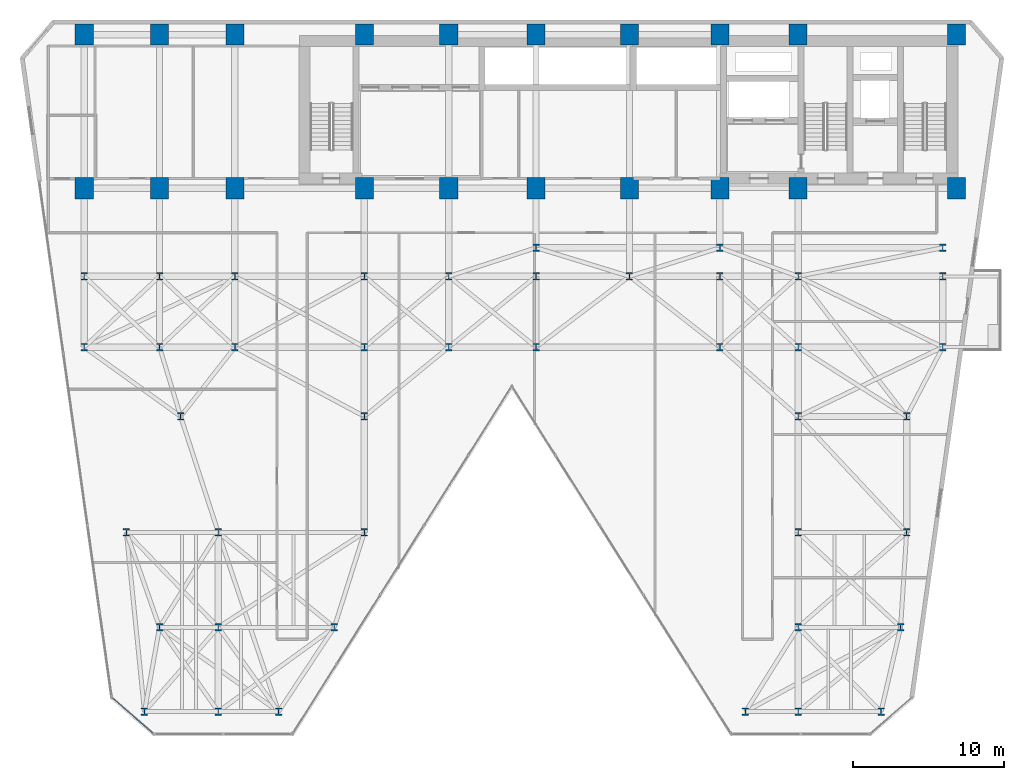
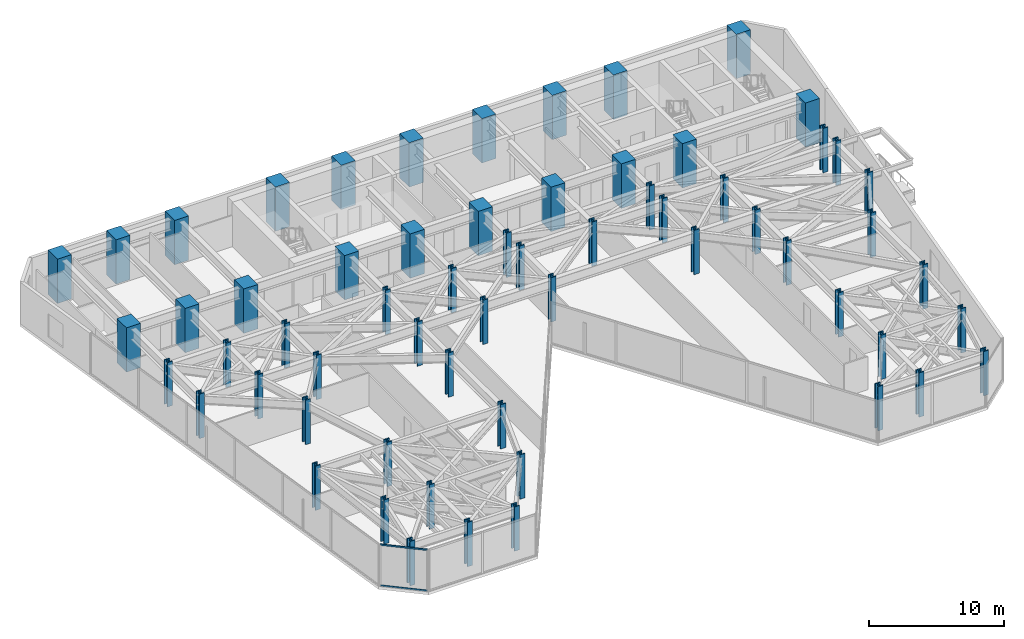
# One storey, part 1 of 24: 62 columns, 2 members, 1 element without a shape of its own.
"""IFC4 building model written with IfcOpenShell, lengths in metres."""

import ifcopenshell
import ifcopenshell.guid

model = None  # the IFC model being written
_history = None  # IfcOwnerHistory: only IFC2X3 demands one
_inside = {}  # id of a spatial element -> (the spatial element, [elements in it])
_under = {}  # id of a project, library or spatial element -> (it, [spatial elements below it])
_declared = {}  # id of a project -> (the project, [libraries it declares])
_typed = {}  # id of a type object -> (the type object, [elements of that type])
_made_of = {}  # id of a material, layer set ... -> (it, [elements and type objects made of it])


def new_model(schema):
    """Start an empty IFC model of exactly this schema.

    Asked for "IFC4X3", IfcOpenShell would pick the latest addendum, in which some entities
    have other attributes; the version numbers below select the first issue.
    IFC2X3 requires an IfcOwnerHistory on every rooted entity: one is made here for all.
    """
    global model, _history
    if schema == "IFC4X3":
        model = ifcopenshell.file(schema_version=(4, 3, 0, 0))
    else:
        model = ifcopenshell.file(schema=schema)
    _inside.clear()
    _under.clear()
    _declared.clear()
    _typed.clear()
    _made_of.clear()
    _history = None
    if model.schema == "IFC2X3":
        org = make("IfcOrganization", Name="unknown")
        user = make(
            "IfcPersonAndOrganization",
            ThePerson=make("IfcPerson", FamilyName="unknown"),
            TheOrganization=org,
        )
        app = make(
            "IfcApplication",
            ApplicationDeveloper=org,
            Version="unknown",
            ApplicationFullName="unknown",
            ApplicationIdentifier="unknown",
        )
        _history = make(
            "IfcOwnerHistory",
            OwningUser=user,
            OwningApplication=app,
            ChangeAction="ADDED",
            CreationDate=0,
        )
    return model


def make(cls, **values):
    """One entity of the class cls with the attributes given. An attribute that is None is left unset."""
    return model.create_entity(
        cls, **{name: value for name, value in values.items() if value is not None}
    )


def rooted(cls, **values):
    """An entity with a GlobalId (a new one), such as an element, a storey or a relation."""
    return make(cls, GlobalId=ifcopenshell.guid.new(), OwnerHistory=_history, **values)


def si_unit(unit_type, name, prefix=None):
    """IfcSIUnit, for example si_unit("LENGTHUNIT", "METRE", prefix="MILLI")."""
    return make("IfcSIUnit", UnitType=unit_type, Prefix=prefix, Name=name)


def assignment(units):
    """IfcUnitAssignment: the units of a project."""
    return None if units is None else make("IfcUnitAssignment", Units=units)


def point(xyz):
    """IfcCartesianPoint."""
    return None if xyz is None else make("IfcCartesianPoint", Coordinates=xyz)


def direction(xyz):
    """IfcDirection."""
    return None if xyz is None else make("IfcDirection", DirectionRatios=xyz)


def frame(location, z_axis=None, x_axis=None):
    """IfcAxis2Placement3D, a coordinate frame: its origin and axes. An axis left out is left unset."""
    return make(
        "IfcAxis2Placement3D",
        Location=point(location),
        Axis=direction(z_axis),
        RefDirection=direction(x_axis),
    )


def frame_2d(location, x_axis=None):
    """IfcAxis2Placement2D, a coordinate frame in the plane: its origin and x axis."""
    return make(
        "IfcAxis2Placement2D", Location=point(location), RefDirection=direction(x_axis)
    )


def origin():
    """The frame at (0, 0, 0) with its axes left unset."""
    return frame((0.0, 0.0, 0.0))


def origin_2d():
    """The frame at (0, 0) in the plane with its x axis left unset."""
    return frame_2d((0.0, 0.0))


def place(relative_to, where):
    """IfcLocalPlacement: puts the frame where relative to a parent placement (None: the world)."""
    return make(
        "IfcLocalPlacement", PlacementRelTo=relative_to, RelativePlacement=where
    )


def context(
    kind, dimensions, precision=None, world=None, true_north=None, identifier=None
):
    """IfcGeometricRepresentationContext, for example the 3D "Model" context."""
    return make(
        "IfcGeometricRepresentationContext",
        ContextIdentifier=identifier,
        ContextType=kind,
        CoordinateSpaceDimension=dimensions,
        Precision=precision,
        WorldCoordinateSystem=world,
        TrueNorth=true_north,
    )


def subcontext(parent, identifier, kind, view, scale=None):
    """IfcGeometricRepresentationSubContext, for example "Body" below "Model"."""
    return make(
        "IfcGeometricRepresentationSubContext",
        ContextIdentifier=identifier,
        ContextType=kind,
        ParentContext=parent,
        TargetScale=scale,
        TargetView=view,
    )


def project(units=None, contexts=None):
    """IfcProject with its units and contexts."""
    return rooted(
        "IfcProject",
        Name="project",
        RepresentationContexts=contexts,
        UnitsInContext=assignment(units),
    )


def spatial(cls, under=None, at=None, **own):
    """A site, building, storey or space (cls), placed at a placement, below another one or the project."""
    s = rooted(cls, ObjectPlacement=at, **own)
    if under is not None:
        _under.setdefault(under.id(), (under, []))[1].append(s)
    return s


def profile(cls, at=None, kind="AREA", **sizes):
    """A parametric profile (cls). Its sizes go by their IFC names, for example OverallWidth=200.0."""
    return make(cls, ProfileType=kind, Position=at, **sizes)


def rectangle(**sizes):
    """IfcRectangleProfileDef."""
    return profile("IfcRectangleProfileDef", **sizes)


def hollow_rectangle(**sizes):
    """IfcRectangleHollowProfileDef."""
    return profile("IfcRectangleHollowProfileDef", **sizes)


def i_section(**sizes):
    """IfcIShapeProfileDef."""
    return profile("IfcIShapeProfileDef", **sizes)


def extrude(swept, where, along, depth):
    """IfcExtrudedAreaSolid: the profile swept, set in the frame where, extruded along a direction by depth."""
    return make(
        "IfcExtrudedAreaSolid",
        SweptArea=swept,
        Position=where,
        ExtrudedDirection=direction(along),
        Depth=depth,
    )


def shape(context_of_items, identifier, shape_type, items):
    """IfcShapeRepresentation: the items that make up one representation, for example the "Body"."""
    return make(
        "IfcShapeRepresentation",
        ContextOfItems=context_of_items,
        RepresentationIdentifier=identifier,
        RepresentationType=shape_type,
        Items=items,
    )


def material(Name=None, Category=None):
    """IfcMaterial."""
    return make("IfcMaterial", Name=Name, Category=Category)


def layer(
    of_material, thickness, ventilated=None, Name=None, Category=None, Priority=None
):
    """IfcMaterialLayer: one layer of a wall or slab, of a material (None: an air gap)."""
    return make(
        "IfcMaterialLayer",
        Material=of_material,
        LayerThickness=thickness,
        IsVentilated=ventilated,
        Name=Name,
        Category=Category,
        Priority=Priority,
    )


def layer_set(layers, Name=None):
    """IfcMaterialLayerSet."""
    return make("IfcMaterialLayerSet", MaterialLayers=layers, LayerSetName=Name)


def material_profile(
    of_material, cross_section, Name=None, Category=None, Priority=None
):
    """IfcMaterialProfile: a cross section and its material."""
    return make(
        "IfcMaterialProfile",
        Name=Name,
        Material=of_material,
        Profile=cross_section,
        Priority=Priority,
        Category=Category,
    )


def profile_set(profiles, Name=None, composite=None):
    """IfcMaterialProfileSet."""
    return make(
        "IfcMaterialProfileSet",
        Name=Name,
        MaterialProfiles=profiles,
        CompositeProfile=composite,
    )


def made_of(thing, what):
    """Note that an element or type object is made of a material, layer set ...; save() writes the relation."""
    if what is not None:
        _made_of.setdefault(what.id(), (what, []))[1].append(thing)
    return thing


def type_object(cls, material=None, **own):
    """A type object (cls), such as IfcWallType, which elements share."""
    return made_of(rooted(cls, **own), material)


def element(
    cls,
    number,
    at=None,
    inside=None,
    cuts=None,
    type_object=None,
    material=None,
    context=None,
    identifier="Body",
    shape_type=None,
    held_by="IfcProductDefinitionShape",
    body=None,
    shapes=None,
    **own,
):
    """One element of the class cls, such as IfcWall. Its Tag is "e" and its number.

    at: its placement. inside: the storey or other place that contains it. cuts: it is an
    opening in that element (IfcRelVoidsElement). A single representation is given by context,
    identifier, shape_type and body (its items); several are given by shapes. held_by: the class
    of the entity that holds the representations. save() writes the other relations.
    """
    e = rooted(cls, Tag="e%d" % number, ObjectPlacement=at, **own)
    if body is not None:
        shapes = [shape(context, identifier, shape_type, body)]
    if shapes is not None:
        e.Representation = make(held_by, Representations=shapes)
    if inside is not None:
        _inside.setdefault(inside.id(), (inside, []))[1].append(e)
    if cuts is not None:
        rooted(
            "IfcRelVoidsElement", RelatingBuildingElement=cuts, RelatedOpeningElement=e
        )
    if type_object is not None:
        _typed.setdefault(type_object.id(), (type_object, []))[1].append(e)
    return made_of(e, material)


def aggregate(whole, parts):
    """IfcRelAggregates: a whole, such as a stair, and the parts it consists of."""
    return rooted("IfcRelAggregates", RelatingObject=whole, RelatedObjects=parts)


def save(model, path):
    """Write the relations noted so far, then the file.

    IfcRelAggregates (storeys below a building ...), IfcRelContainedInSpatialStructure (elements
    in a storey), IfcRelDefinesByType, IfcRelAssociatesMaterial and IfcRelDeclares: one each for
    every whole, place, type object, material and project.
    """
    for whole, parts in _under.values():
        aggregate(whole, parts)
    for where, things in _inside.values():
        rooted(
            "IfcRelContainedInSpatialStructure",
            RelatedElements=things,
            RelatingStructure=where,
        )
    for kind, things in _typed.values():
        rooted("IfcRelDefinesByType", RelatedObjects=things, RelatingType=kind)
    for what, things in _made_of.values():
        rooted("IfcRelAssociatesMaterial", RelatedObjects=things, RelatingMaterial=what)
    for by, libraries in _declared.values():
        rooted("IfcRelDeclares", RelatingContext=by, RelatedDefinitions=libraries)
    model.write(path)


model = new_model("IFC4")

# Units and contexts
model_context = context("Model", 3, precision=1e-05, world=origin(), true_north=direction((0.0, 1.0)))
body_context = subcontext(model_context, "Body", "Model", "MODEL_VIEW")
ifc_project = project(units=[si_unit("LENGTHUNIT", "METRE"), si_unit("AREAUNIT", "SQUARE_METRE"), si_unit("VOLUMEUNIT", "CUBIC_METRE"), si_unit("PLANEANGLEUNIT", "RADIAN"), si_unit("MASSUNIT", "GRAM", prefix="KILO")], contexts=[model_context])

# Site, building, storey
site_placement = place(None, origin())
site = spatial("IfcSite", under=ifc_project, at=site_placement, CompositionType="ELEMENT")
building_placement = place(site_placement, origin())
building = spatial("IfcBuilding", under=site, at=building_placement, Name="Kravanh Interchange Tower", CompositionType="ELEMENT")
storey_placement = place(building_placement, frame((0.0, 0.0, 69.5)))
storey = spatial("IfcBuildingStorey", under=building, at=storey_placement, Name="L16", CompositionType="ELEMENT", Elevation=69.5)

# Columns
ifc_material_1 = material(Name="Concrete C70/85", Category="concrete")
ifc_material_profile_1 = material_profile(ifc_material_1, rectangle(XDim=1.199951171875, YDim=1.39990234375, at=origin_2d()), Name="RC1200X1400")
ifc_profile_set_1 = profile_set([ifc_material_profile_1], Name="Concrete C70/85")
column_type_1 = type_object("IfcColumnType", Name="Column RC1200X1400 Concrete C70/85", PredefinedType="COLUMN", material=ifc_profile_set_1)
for number, where, z_axis, x_axis, name in (
    (1, (66.5, 47.550048828125, 0.0), (0.0, 0.0, 1.0), (1.0, 0.0, 0.0), "L16 Column CS01"),
    (2, (56.0, 47.550048828125, 0.0), (0.0, 0.0, 1.0), (1.0, 0.0, 0.0), "L16 Column CS02"),
    (3, (66.5, 37.35009765625, 0.0), (0.0, 0.0, 1.0), (1.0, 0.0, 0.0), "L16 Column CS03"),
    (4, (56.0, 37.35009765625, 0.0), (0.0, 0.0, 1.0), (1.0, 0.0, 0.0), "L16 Column CS04"),
    (5, (50.800048828125, 47.550048828125, 0.0), (0.0, 0.0, 1.0), (1.0, 0.0, 0.0), "L16 Column CS05"),
    (6, (50.800048828125, 37.35009765625, 0.0), (0.0, 0.0, 1.0), (1.0, 0.0, 0.0), "L16 Column CS06"),
    (7, (44.800048828125, 37.35009765625, 0.0), (0.0, 0.0, 1.0), (1.0, 0.0, 0.0), "L16 Column CS07"),
    (8, (44.800048828125, 47.550048828125, 0.0), (0.0, 0.0, 1.0), (1.0, 0.0, 0.0), "L16 Column CS08"),
    (9, (38.60009765625, 37.35009765625, 0.0), (0.0, 0.0, 1.0), (1.0, 0.0, 0.0), "L16 Column CS09"),
    (10, (38.60009765625, 47.550048828125, 0.0), (0.0, 0.0, 1.0), (1.0, 0.0, 0.0), "L16 Column CS10"),
    (11, (32.800048828125, 37.35009765625, 0.0), (0.0, 0.0, 1.0), (1.0, 0.0, 0.0), "L16 Column CS11"),
    (12, (32.800048828125, 47.550048828125, 0.0), (0.0, 0.0, 1.0), (1.0, 0.0, 0.0), "L16 Column CS12"),
    (13, (27.199951171875, 37.35009765625, 0.0), (0.0, 0.0, 1.0), (1.0, 0.0, 0.0), "L16 Column CS13"),
    (14, (27.199951171875, 47.550048828125, 0.0), (0.0, 0.0, 1.0), (1.0, 0.0, 0.0), "L16 Column CS14"),
    (15, (18.60009765625, 37.35009765625, 0.0), (0.0, 0.0, 1.0), (1.0, 0.0, 0.0), "L16 Column CS17"),
    (16, (18.60009765625, 47.550048828125, 0.0), (0.0, 0.0, 1.0), (1.0, 0.0, 0.0), "L16 Column CS18"),
    (17, (13.60009765625, 37.35009765625, 0.0), (0.0, 0.0, 1.0), (1.0, 0.0, 0.0), "L16 Column CS19"),
    (18, (13.60009765625, 47.550048828125, 0.0), (0.0, 0.0, 1.0), (1.0, 0.0, 0.0), "L16 Column CS20"),
    (19, (8.60009765625, 37.35009765625, 0.0), (0.0, 0.0, 1.0), (1.0, 0.0, 0.0), "L16 Column CS21"),
    (20, (8.60009765625, 47.550048828125, 0.0), (0.0, 0.0, 1.0), (1.0, 0.0, 0.0), "L16 Column CS22"),
):
    element("IfcColumn", number, at=place(storey_placement, frame(where, z_axis=z_axis, x_axis=x_axis)), inside=storey, type_object=column_type_1, Name=name, PredefinedType="COLUMN", context=body_context, shape_type="SweptSolid", body=[
        extrude(rectangle(XDim=1.199951171875, YDim=1.39990234375, at=origin_2d()), origin(), (0.0, 0.0, 1.0), 4.0),
    ])
ifc_material_2 = material(Name="Structural Steel S450", Category="steel")
ifc_material_profile_2 = material_profile(ifc_material_2, i_section(OverallWidth=0.431884765625, OverallDepth=0.498046875, WebThickness=0.0556640625, FlangeThickness=0.0888671875, FilletRadius=0.030029296875, at=origin_2d()), Name="W14X500")
ifc_profile_set_2 = profile_set([ifc_material_profile_2], Name="Structural Steel S450")
column_type_2 = type_object("IfcColumnType", Name="Column W14X500 Structural Steel S450", PredefinedType="COLUMN", material=ifc_profile_set_2)
for number, where, z_axis, x_axis, name in (
    (21, (12.60009765625, 2.60009765625, 0.0), (0.0, 0.0, 1.0), (1.0, 0.0, 0.0), "L16 Column CZ1_1"),
    (22, (56.0, 14.5, 0.0), (0.0, 0.0, 1.0), (1.0, 0.0, 0.0), "L16 Column CZ1_10"),
    (23, (63.199951171875, 14.5, 0.0), (0.0, 0.0, 1.0), (1.0, 0.0, 0.0), "L16 Column CZ1_11"),
    (24, (15.0, 22.199951171875, 0.0), (0.0, 0.0, 1.0), (1.0, 0.0, 0.0), "L16 Column CZ1_11B"),
    (25, (27.199951171875, 22.199951171875, 0.0), (0.0, 0.0, 1.0), (1.0, 0.0, 0.0), "L16 Column CZ1_11C"),
    (26, (56.0, 22.199951171875, 0.0), (0.0, 0.0, 1.0), (1.0, 0.0, 0.0), "L16 Column CZ1_11D"),
    (27, (63.199951171875, 22.199951171875, 0.0), (0.0, 0.0, 1.0), (1.0, 0.0, 0.0), "L16 Column CZ1_11E"),
    (28, (8.60009765625, 26.800048828125, 0.0), (0.0, 0.0, 1.0), (1.0, 0.0, 0.0), "L16 Column CZ1_12"),
    (29, (13.60009765625, 26.800048828125, 0.0), (0.0, 0.0, 1.0), (1.0, 0.0, 0.0), "L16 Column CZ1_13"),
    (30, (18.60009765625, 26.800048828125, 0.0), (0.0, 0.0, 1.0), (1.0, 0.0, 0.0), "L16 Column CZ1_14"),
    (31, (27.199951171875, 26.800048828125, 0.0), (0.0, 0.0, 1.0), (1.0, 0.0, 0.0), "L16 Column CZ1_15"),
    (32, (32.800048828125, 26.800048828125, 0.0), (0.0, 0.0, 1.0), (1.0, 0.0, 0.0), "L16 Column CZ1_16"),
    (33, (38.60009765625, 26.800048828125, 0.0), (0.0, 0.0, 1.0), (1.0, 0.0, 0.0), "L16 Column CZ1_16B"),
    (34, (50.800048828125, 26.800048828125, 0.0), (0.0, 0.0, 1.0), (1.0, 0.0, 0.0), "L16 Column CZ1_17"),
    (35, (56.0, 26.800048828125, 0.0), (0.0, 0.0, 1.0), (1.0, 0.0, 0.0), "L16 Column CZ1_18"),
    (36, (65.60009765625, 26.800048828125, 0.0), (0.0, 0.0, 1.0), (1.0, 0.0, 0.0), "L16 Column CZ1_19"),
    (37, (8.60009765625, 31.5, 0.0), (0.0, 0.0, 1.0), (1.0, 0.0, 0.0), "L16 Column CZ1_19B"),
    (38, (13.60009765625, 31.5, 0.0), (0.0, 0.0, 1.0), (1.0, 0.0, 0.0), "L16 Column CZ1_19C"),
    (39, (17.5, 2.60009765625, 0.0), (0.0, 0.0, 1.0), (1.0, 0.0, 0.0), "L16 Column CZ1_2"),
    (40, (18.60009765625, 31.5, 0.0), (0.0, 0.0, 1.0), (1.0, 0.0, 0.0), "L16 Column CZ1_20"),
    (41, (27.199951171875, 31.5, 0.0), (0.0, 0.0, 1.0), (1.0, 0.0, 0.0), "L16 Column CZ1_21"),
    (42, (32.800048828125, 31.5, 0.0), (0.0, 0.0, 1.0), (1.0, 0.0, 0.0), "L16 Column CZ1_22"),
    (43, (38.60009765625, 31.5, 0.0), (0.0, 0.0, 1.0), (1.0, 0.0, 0.0), "L16 Column CZ1_23"),
    (44, (44.800048828125, 31.5, 0.0), (0.0, 0.0, 1.0), (1.0, 0.0, 0.0), "L16 Column CZ1_24"),
    (45, (50.800048828125, 31.5, 0.0), (0.0, 0.0, 1.0), (1.0, 0.0, 0.0), "L16 Column CZ1_25"),
    (46, (56.0, 31.5, 0.0), (0.0, 0.0, 1.0), (1.0, 0.0, 0.0), "L16 Column CZ1_26"),
    (47, (65.60009765625, 31.5, 0.0), (0.0, 0.0, 1.0), (1.0, 0.0, 0.0), "L16 Column CZ1_27"),
    (48, (21.5, 2.60009765625, 0.0), (0.0, 0.0, 1.0), (1.0, 0.0, 0.0), "L16 Column CZ1_3"),
    (49, (52.5, 2.60009765625, 0.0), (0.0, 0.0, 1.0), (1.0, 0.0, 0.0), "L16 Column CZ1_4"),
    (50, (56.0, 2.60009765625, 0.0), (0.0, 0.0, 1.0), (1.0, 0.0, 0.0), "L16 Column CZ1_5"),
    (51, (61.5, 2.60009765625, 0.0), (0.0, 0.0, 1.0), (1.0, 0.0, 0.0), "L16 Column CZ1_5B"),
    (52, (13.60009765625, 8.199951171875, 0.0), (0.0, 0.0, 1.0), (1.0, 0.0, 0.0), "L16 Column CZ1_6"),
    (53, (17.5, 8.199951171875, 0.0), (0.0, 0.0, 1.0), (1.0, 0.0, 0.0), "L16 Column CZ1_6B"),
    (54, (25.199951171875, 8.199951171875, 0.0), (0.0, 0.0, 1.0), (1.0, 0.0, 0.0), "L16 Column CZ1_6C"),
    (55, (56.0, 8.199951171875, 0.0), (0.0, 0.0, 1.0), (1.0, 0.0, 0.0), "L16 Column CZ1_6D"),
    (56, (62.800048828125, 8.199951171875, 0.0), (0.0, 0.0, 1.0), (1.0, 0.0, 0.0), "L16 Column CZ1_6E"),
    (57, (11.39990234375, 14.5, 0.0), (0.0, 0.0, 1.0), (1.0, 0.0, 0.0), "L16 Column CZ1_7"),
    (58, (17.5, 14.5, 0.0), (0.0, 0.0, 1.0), (1.0, 0.0, 0.0), "L16 Column CZ1_7B"),
    (59, (27.199951171875, 14.5, 0.0), (0.0, 0.0, 1.0), (1.0, 0.0, 0.0), "L16 Column CZ1_8"),
    (60, (38.60009765625, 33.39990234375, 0.0), (0.0, 0.0, 1.0), (1.0, 0.0, 0.0), "L16 Column CZ1_M1"),
    (61, (50.800048828125, 33.39990234375, 0.0), (0.0, 0.0, 1.0), (1.0, 0.0, 0.0), "L16 Column CZ1_M2"),
    (62, (65.60009765625, 33.39990234375, 0.0), (0.0, 0.0, 1.0), (1.0, 0.0, 0.0), "L16 Column CZ1_M3"),
):
    element("IfcColumn", number, at=place(storey_placement, frame(where, z_axis=z_axis, x_axis=x_axis)), inside=storey, type_object=column_type_2, Name=name, PredefinedType="COLUMN", context=body_context, shape_type="SweptSolid", body=[
        extrude(i_section(OverallWidth=0.431884765625, OverallDepth=0.498046875, WebThickness=0.0556640625, FlangeThickness=0.0888671875, FilletRadius=0.030029296875, at=origin_2d()), origin(), (0.0, 0.0, 1.0), 4.0),
    ])

# Curtain wall, members
ifc_material_3 = material(Name="Anodised Bronze Aluminium", Category="aluminium")
ifc_layer = layer(ifc_material_3, 0.179931640625)
ifc_layer_set = layer_set([ifc_layer], Name="Unitised Curtain Wall System CW-Z1 Lower Office")
curtain_wall_type = type_object("IfcCurtainWallType", Name="Unitised Curtain Wall System CW-Z1 Lower Office", PredefinedType="NOTDEFINED", material=ifc_layer_set)
curtain_wall_placement = place(storey_placement, origin())
curtain_wall = element("IfcCurtainWall", 63, at=curtain_wall_placement, inside=storey, type_object=curtain_wall_type, Name="L16 Unitised Curtain Wall CW-L16-07", PredefinedType="NOTDEFINED")
ifc_material_4 = material(Name="Anodised Bronze Aluminium", Category="aluminium")
ifc_material_profile_3 = material_profile(ifc_material_4, hollow_rectangle(XDim=0.06005859375, YDim=0.139892578125, WallThickness=0.00390625, at=origin_2d()), Name="ALU60X140X4")
ifc_profile_set_3 = profile_set([ifc_material_profile_3], Name="Anodised Bronze Aluminium")
member_type = type_object("IfcMemberType", Name="Curtain Wall Transom ALU60X140X4 Bronze", PredefinedType="USERDEFINED", material=ifc_profile_set_3)
member_1_placement = place(storey_placement, frame((13.167724609375, 1.166015625, 0.030029296875), z_axis=(-0.754710815466, 0.656057608004, 0.0), x_axis=(-0.656057608004, -0.754710815466, 0.0)))
member_1 = element("IfcMember", 64, at=member_1_placement, type_object=member_type, Name="CW-Z1 transom 1.1", ObjectType="TRANSOM", PredefinedType="USERDEFINED", context=body_context, shape_type="SweptSolid", body=[
    extrude(hollow_rectangle(XDim=0.06005859375, YDim=0.139892578125, WallThickness=0.00390625, at=origin_2d()), origin(), (0.0, 0.0, 1.0), 3.543701171875),
])
member_2_placement = place(storey_placement, frame((13.167724609375, 1.166015625, 3.7099609375), z_axis=(-0.754710815466, 0.656057608004, 0.0), x_axis=(-0.656057608004, -0.754710815466, 0.0)))
member_2 = element("IfcMember", 65, at=member_2_placement, type_object=member_type, Name="CW-Z1 transom 1.2", ObjectType="TRANSOM", PredefinedType="USERDEFINED", context=body_context, shape_type="SweptSolid", body=[
    extrude(hollow_rectangle(XDim=0.06005859375, YDim=0.139892578125, WallThickness=0.00390625, at=origin_2d()), origin(), (0.0, 0.0, 1.0), 3.543701171875),
])
aggregate(curtain_wall, [member_1, member_2])

save(model, "model.ifc")
